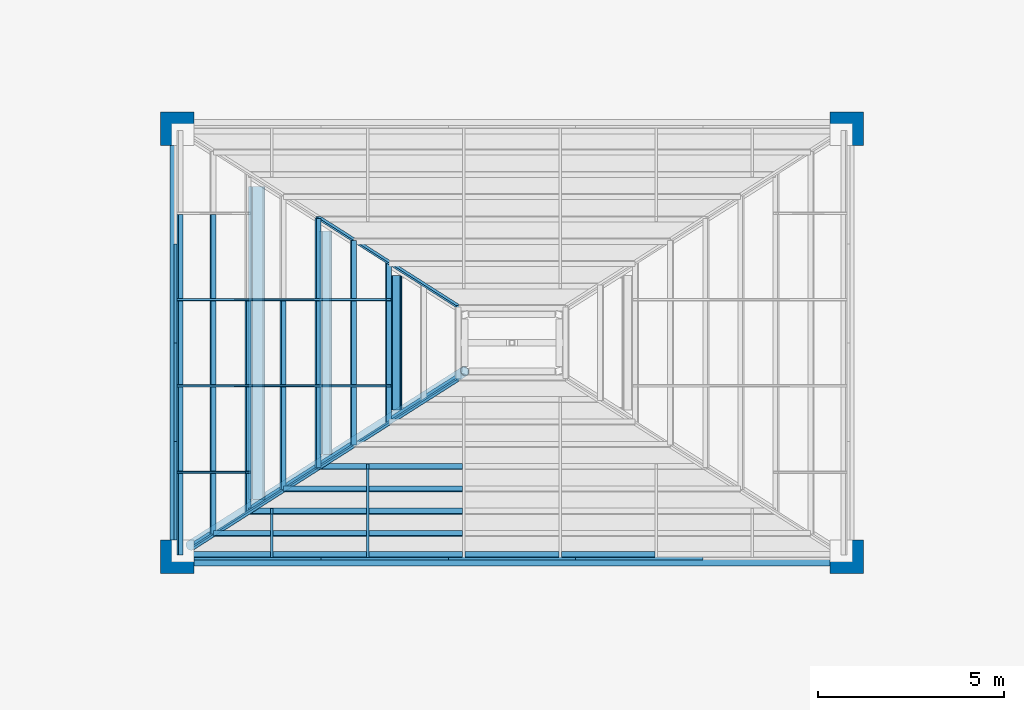
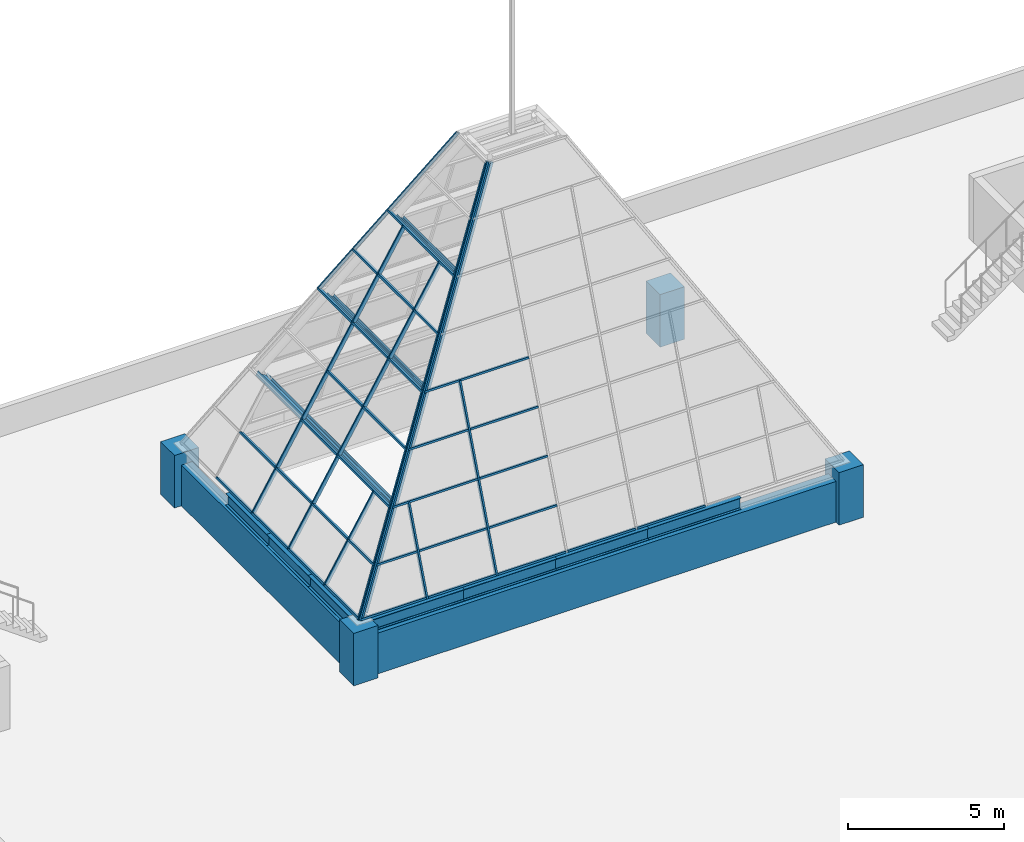
# One storey, part 1 of 8: 45 members, 9 beams, 4 columns, 2 elements without a shape of their own.
"""IFC4 building model written with IfcOpenShell, lengths in metres."""

from ifc_helpers import new_model, si_unit, direction, frame, origin, origin_2d, place, context, subcontext, project, spatial, rectangle, hollow_circle, i_section, extrude, material, layer, layer_set, material_profile, profile_set, type_object, element, aggregate, save


model = new_model("IFC4")

# Units and contexts
model_context = context("Model", 3, precision=1e-05, world=origin(), true_north=direction((0.0, 1.0)))
body_context = subcontext(model_context, "Body", "Model", "MODEL_VIEW")
ifc_project = project(units=[si_unit("LENGTHUNIT", "METRE"), si_unit("AREAUNIT", "SQUARE_METRE"), si_unit("VOLUMEUNIT", "CUBIC_METRE"), si_unit("PLANEANGLEUNIT", "RADIAN"), si_unit("MASSUNIT", "GRAM", prefix="KILO")], contexts=[model_context])

# Site, building, storey
site_placement = place(None, origin())
site = spatial("IfcSite", under=ifc_project, at=site_placement, CompositionType="ELEMENT")
building_placement = place(site_placement, origin())
building = spatial("IfcBuilding", under=site, at=building_placement, Name="Brigalow Station Residences", CompositionType="ELEMENT")
storey_placement = place(building_placement, frame((0.0, 0.0, 244.199951171875)))
storey = spatial("IfcBuildingStorey", under=building, at=storey_placement, Name="Roof", CompositionType="ELEMENT", Elevation=244.199951171875)

# Columns
ifc_material_1 = material(Name="Concrete C50", Category="concrete")
ifc_material_profile_1 = material_profile(ifc_material_1, rectangle(XDim=0.89990234375, YDim=0.89990234375, at=origin_2d()), Name="RC900x900")
ifc_profile_set_1 = profile_set([ifc_material_profile_1], Name="Concrete C50")
column_type = type_object("IfcColumnType", Name="COLUMN 900x900 C50", PredefinedType="COLUMN", material=ifc_profile_set_1)
for number, where, z_axis, x_axis, name in (
    (1, (27.0, 24.0, 0.0), (0.0, 0.0, 1.0), (1.0, 0.0, 0.0), "ATRIUM CORNER COLUMN SW ROOF"),
    (2, (45.0, 24.0, 0.0), (0.0, 0.0, 1.0), (1.0, 0.0, 0.0), "ATRIUM CORNER COLUMN SE ROOF"),
    (3, (45.0, 35.5, 0.0), (0.0, 0.0, 1.0), (1.0, 0.0, 0.0), "ATRIUM CORNER COLUMN NE ROOF"),
    (4, (27.0, 35.5, 0.0), (0.0, 0.0, 1.0), (1.0, 0.0, 0.0), "ATRIUM CORNER COLUMN NW ROOF"),
):
    element("IfcColumn", number, at=place(storey_placement, frame(where, z_axis=z_axis, x_axis=x_axis)), inside=storey, type_object=column_type, Name=name, PredefinedType="COLUMN", context=body_context, shape_type="SweptSolid", body=[
        extrude(rectangle(XDim=0.89990234375, YDim=0.89990234375, at=origin_2d()), origin(), (0.0, 0.0, 1.0), 2.060546875),
    ])

# Members
ifc_material_2 = material(Name="Steel Grade C350L0 to AS/NZS 1163", Category="steel")
ifc_material_profile_2 = material_profile(ifc_material_2, hollow_circle(Radius=0.136474609375, WallThickness=0.00927734375, at=origin_2d()), Name="273.1x9.3CHS")
ifc_profile_set_2 = profile_set([ifc_material_profile_2], Name="Steel Grade C350L0 to AS/NZS 1163")
member_type_1 = type_object("IfcMemberType", Name="CROWN FRAME HIP RIB 273.1x9.3CHS", PredefinedType="RAFTER", material=ifc_profile_set_2)
member_1_placement = place(storey_placement, frame((27.350341796875, 24.298583984375, 2.169677734375), z_axis=(0.490116390262, 0.311610602771, 0.814054516748), x_axis=(-0.670788330844, 0.731216181017, 0.123959315187)))
element("IfcMember", 5, at=member_1_placement, inside=storey, type_object=member_type_1, Name="CROWN FRAME HIP RIB SW", PredefinedType="RAFTER", context=body_context, shape_type="SweptSolid", body=[
    extrude(hollow_circle(Radius=0.136474609375, WallThickness=0.00927734375, at=origin_2d()), origin(), (0.0, 0.0, 1.0), 15.051513671875),
])
ifc_material_3 = material(Name="Steel Grade 300 to AS/NZS 3679.1", Category="steel")
ifc_material_profile_3 = material_profile(ifc_material_3, i_section(OverallWidth=0.1650390625, OverallDepth=0.303955078125, WebThickness=0.006103515625, FlangeThickness=0.01025390625, FilletRadius=0.011474609375, at=origin_2d()), Name="310UB40.4")
ifc_profile_set_3 = profile_set([ifc_material_profile_3], Name="Steel Grade 300 to AS/NZS 3679.1")
member_type_2 = type_object("IfcMemberType", Name="CROWN FRAME HOOP 310UB40.4 SPAN TO 4 M", PredefinedType="PURLIN", material=ifc_profile_set_3)
member_2_placement = place(storey_placement, frame((32.87109375, 31.55810546875, 11.309326171875), z_axis=(0.0, -1.0, 0.0), x_axis=(0.515812812605, 0.0, 0.85670131455)))
element("IfcMember", 6, at=member_2_placement, inside=storey, type_object=member_type_2, Name="CROWN FRAME HOOP W6", PredefinedType="PURLIN", context=body_context, shape_type="SweptSolid", body=[
    extrude(i_section(OverallWidth=0.1650390625, OverallDepth=0.303955078125, WebThickness=0.006103515625, FlangeThickness=0.01025390625, FilletRadius=0.011474609375, at=origin_2d()), origin(), (0.0, 0.0, 1.0), 3.6162109375),
])
ifc_material_4 = material(Name="Steel Grade 300 to AS/NZS 3679.1", Category="steel")
ifc_material_profile_4 = material_profile(ifc_material_4, i_section(OverallWidth=0.1650390625, OverallDepth=0.303955078125, WebThickness=0.006103515625, FlangeThickness=0.01025390625, FilletRadius=0.011474609375, at=origin_2d()), Name="310UB40.4")
ifc_profile_set_4 = profile_set([ifc_material_profile_4], Name="Steel Grade 300 to AS/NZS 3679.1")
member_type_3 = type_object("IfcMemberType", Name="CROWN FRAME HOOP 310UB40.4 SPAN TO 7 M", PredefinedType="PURLIN", material=ifc_profile_set_4)
member_3_placement = place(storey_placement, frame((30.983642578125, 32.758056640625, 8.174560546875), z_axis=(0.0, -1.0, 0.0), x_axis=(0.515812812605, 0.0, 0.85670131455)))
element("IfcMember", 7, at=member_3_placement, inside=storey, type_object=member_type_3, Name="CROWN FRAME HOOP W4", PredefinedType="PURLIN", context=body_context, shape_type="SweptSolid", body=[
    extrude(i_section(OverallWidth=0.1650390625, OverallDepth=0.303955078125, WebThickness=0.006103515625, FlangeThickness=0.01025390625, FilletRadius=0.011474609375, at=origin_2d()), origin(), (0.0, 0.0, 1.0), 6.01611328125),
])
ifc_material_5 = material(Name="Steel Grade 300 to AS/NZS 3679.1", Category="steel")
ifc_material_profile_5 = material_profile(ifc_material_5, i_section(OverallWidth=0.177978515625, OverallDepth=0.406494140625, WebThickness=0.0078125, FlangeThickness=0.0126953125, FilletRadius=0.011474609375, at=origin_2d()), Name="410UB59.7")
ifc_profile_set_5 = profile_set([ifc_material_profile_5], Name="Steel Grade 300 to AS/NZS 3679.1")
member_type_4 = type_object("IfcMemberType", Name="CROWN FRAME HOOP 410UB59.7 SPAN TO 10 M", PredefinedType="PURLIN", material=ifc_profile_set_5)
member_4_placement = place(storey_placement, frame((29.14013671875, 33.9580078125, 5.01318359375), z_axis=(0.0, -1.0, 0.0), x_axis=(0.515812812605, 0.0, 0.85670131455)))
element("IfcMember", 8, at=member_4_placement, inside=storey, type_object=member_type_4, Name="CROWN FRAME HOOP W2", PredefinedType="PURLIN", context=body_context, shape_type="SweptSolid", body=[
    extrude(i_section(OverallWidth=0.177978515625, OverallDepth=0.406494140625, WebThickness=0.0078125, FlangeThickness=0.0126953125, FilletRadius=0.011474609375, at=origin_2d()), origin(), (0.0, 0.0, 1.0), 8.416015625),
])

# Beams
ifc_material_6 = material(Name="Steel Grade 300 to AS/NZS 3679.1", Category="steel")
ifc_material_profile_6 = material_profile(ifc_material_6, i_section(OverallWidth=0.19091796875, OverallDepth=0.46044921875, WebThickness=0.010009765625, FlangeThickness=0.01611328125, FilletRadius=0.011474609375, at=origin_2d()), Name="460UB82.1")
ifc_profile_set_6 = profile_set([ifc_material_profile_6], Name="Steel Grade 300 to AS/NZS 3679.1")
beam_type_1 = type_object("IfcBeamType", Name="CROWN FRAME RING BEAM 460UB82.1", PredefinedType="BEAM", material=ifc_profile_set_6)
beam_1_placement = place(storey_placement, frame((27.449951171875, 24.0, 1.830322265625), z_axis=(1.0, 0.0, 0.0), x_axis=(0.0, 1.0, 0.0)))
element("IfcBeam", 9, at=beam_1_placement, inside=storey, type_object=beam_type_1, Name="CROWN FRAME RING BEAM S1", PredefinedType="BEAM", context=body_context, shape_type="SweptSolid", body=[
    extrude(i_section(OverallWidth=0.19091796875, OverallDepth=0.46044921875, WebThickness=0.010009765625, FlangeThickness=0.01611328125, FilletRadius=0.011474609375, at=origin_2d()), origin(), (0.0, 0.0, 1.0), 3.420166015625),
])
for number, where, z_axis, x_axis, name in (
    (10, (30.8701171875, 24.0, 1.830322265625), (1.0, 0.0, 0.0), (0.0, 1.0, 0.0), "CROWN FRAME RING BEAM S2"),
    (11, (34.2900390625, 24.0, 1.830322265625), (1.0, 0.0, 0.0), (0.0, 1.0, 0.0), "CROWN FRAME RING BEAM S3"),
    (12, (37.7099609375, 24.0, 1.830322265625), (1.0, 0.0, 0.0), (0.0, 1.0, 0.0), "CROWN FRAME RING BEAM S4"),
):
    element("IfcBeam", number, at=place(storey_placement, frame(where, z_axis=z_axis, x_axis=x_axis)), inside=storey, type_object=beam_type_1, Name=name, PredefinedType="BEAM", context=body_context, shape_type="SweptSolid", body=[
        extrude(i_section(OverallWidth=0.19091796875, OverallDepth=0.46044921875, WebThickness=0.010009765625, FlangeThickness=0.01611328125, FilletRadius=0.011474609375, at=origin_2d()), origin(), (0.0, 0.0, 1.0), 3.419921875),
    ])
for number, where, z_axis, x_axis, name in (
    (13, (27.0, 32.39990234375, 1.830322265625), (0.0, -1.0, 0.0), (1.0, 0.0, 0.0), "CROWN FRAME RING BEAM W2"),
    (14, (27.0, 29.75, 1.830322265625), (0.0, -1.0, 0.0), (1.0, 0.0, 0.0), "CROWN FRAME RING BEAM W3"),
):
    element("IfcBeam", number, at=place(storey_placement, frame(where, z_axis=z_axis, x_axis=x_axis)), inside=storey, type_object=beam_type_1, Name=name, PredefinedType="BEAM", context=body_context, shape_type="SweptSolid", body=[
        extrude(i_section(OverallWidth=0.19091796875, OverallDepth=0.46044921875, WebThickness=0.010009765625, FlangeThickness=0.01611328125, FilletRadius=0.011474609375, at=origin_2d()), origin(), (0.0, 0.0, 1.0), 2.64990234375),
    ])
beam_2_placement = place(storey_placement, frame((27.0, 27.10009765625, 1.830322265625), z_axis=(0.0, -1.0, 0.0), x_axis=(1.0, 0.0, 0.0)))
element("IfcBeam", 15, at=beam_2_placement, inside=storey, type_object=beam_type_1, Name="CROWN FRAME RING BEAM W4", PredefinedType="BEAM", context=body_context, shape_type="SweptSolid", body=[
    extrude(i_section(OverallWidth=0.19091796875, OverallDepth=0.46044921875, WebThickness=0.010009765625, FlangeThickness=0.01611328125, FilletRadius=0.011474609375, at=origin_2d()), origin(), (0.0, 0.0, 1.0), 2.650146484375),
])

# Curtain wall, members
ifc_material_7 = material(Name="Aluminium", Category="aluminium")
ifc_layer = layer(ifc_material_7, 0.14990234375)
ifc_layer_set = layer_set([ifc_layer], Name="CROWN CURTAIN WALL")
curtain_wall_type = type_object("IfcCurtainWallType", Name="CROWN CURTAIN WALL", PredefinedType="NOTDEFINED", material=ifc_layer_set)
curtain_wall_1_placement = place(storey_placement, origin())
curtain_wall_1 = element("IfcCurtainWall", 16, at=curtain_wall_1_placement, inside=storey, type_object=curtain_wall_type, Name="Roof/cw/crown-W", PredefinedType="NOTDEFINED")
ifc_material_8 = material(Name="Aluminium", Category="aluminium")
ifc_material_profile_7 = material_profile(ifc_material_8, rectangle(XDim=0.050048828125, YDim=0.14990234375, at=origin_2d()), Name="CROWN MULLION 50x150")
ifc_profile_set_7 = profile_set([ifc_material_profile_7], Name="Aluminium")
member_type_5 = type_object("IfcMemberType", Name="CROWN MULLION 50x150", PredefinedType="MULLION", material=ifc_profile_set_7)
member_5_placement = place(storey_placement, frame((30.789306640625, 33.123779296875, 8.29150390625), z_axis=(0.490120289601, -0.311626734385, 0.814045993871), x_axis=(0.1607680528, 0.950204597627, 0.266954782403)))
member_5 = element("IfcMember", 17, at=member_5_placement, type_object=member_type_5, Name="Roof/cw/crown-W/HL2", PredefinedType="MULLION", context=body_context, shape_type="SweptSolid", body=[
    extrude(rectangle(XDim=0.050048828125, YDim=0.14990234375, at=origin_2d()), origin(), (0.0, 0.0, 1.0), 7.701904296875),
])
member_6_placement = place(storey_placement, frame((27.06494140625, 24.008544921875, 2.10595703125), z_axis=(0.490142364548, 0.311596240668, 0.814044375496), x_axis=(-0.160707203509, 0.950214597997, -0.266955824986)))
member_6 = element("IfcMember", 18, at=member_6_placement, type_object=member_type_5, Name="Roof/cw/crown-W/HR1", PredefinedType="MULLION", context=body_context, shape_type="SweptSolid", body=[
    extrude(rectangle(XDim=0.050048828125, YDim=0.14990234375, at=origin_2d()), origin(), (0.0, 0.0, 1.0), 7.5986328125),
])
member_7_placement = place(storey_placement, frame((30.789306640625, 26.376220703125, 8.29150390625), z_axis=(0.490120289601, 0.311626734385, 0.814045993871), x_axis=(-0.1607680528, 0.950204597627, -0.266954782403)))
member_7 = element("IfcMember", 19, at=member_7_placement, type_object=member_type_5, Name="Roof/cw/crown-W/HR2", PredefinedType="MULLION", context=body_context, shape_type="SweptSolid", body=[
    extrude(rectangle(XDim=0.050048828125, YDim=0.14990234375, at=origin_2d()), origin(), (0.0, 0.0, 1.0), 7.701904296875),
])
member_8_placement = place(storey_placement, frame((27.060791015625, 30.909912109375, 2.09912109375), z_axis=(0.515814192551, 0.0, 0.856700483695), x_axis=(0.0, 1.0, 0.0)))
member_8 = element("IfcMember", 20, at=member_8_placement, type_object=member_type_5, Name="Roof/cw/crown-W/M01", PredefinedType="MULLION", context=body_context, shape_type="SweptSolid", body=[
    extrude(rectangle(XDim=0.050048828125, YDim=0.14990234375, at=origin_2d()), origin(), (0.0, 0.0, 1.0), 10.8876953125),
])
member_9_placement = place(storey_placement, frame((27.060791015625, 28.590087890625, 2.09912109375), z_axis=(0.515814192551, 0.0, 0.856700483695), x_axis=(0.0, 1.0, 0.0)))
member_9 = element("IfcMember", 21, at=member_9_placement, type_object=member_type_5, Name="Roof/cw/crown-W/M02", PredefinedType="MULLION", context=body_context, shape_type="SweptSolid", body=[
    extrude(rectangle(XDim=0.050048828125, YDim=0.14990234375, at=origin_2d()), origin(), (0.0, 0.0, 1.0), 10.8876953125),
])
member_10_placement = place(storey_placement, frame((27.060791015625, 26.27001953125, 2.09912109375), z_axis=(0.515833026971, 0.0, 0.856689143322), x_axis=(0.0, 1.0, 0.0)))
member_10 = element("IfcMember", 22, at=member_10_placement, type_object=member_type_5, Name="Roof/cw/crown-W/M03", PredefinedType="MULLION", context=body_context, shape_type="SweptSolid", body=[
    extrude(rectangle(XDim=0.050048828125, YDim=0.14990234375, at=origin_2d()), origin(), (0.0, 0.0, 1.0), 3.569091796875),
])

curtain_wall_2_placement = place(storey_placement, origin())
curtain_wall_2 = element("IfcCurtainWall", 23, at=curtain_wall_2_placement, inside=storey, type_object=curtain_wall_type, Name="Roof/cw/crown-S", PredefinedType="NOTDEFINED")
ifc_material_9 = material(Name="Aluminium", Category="aluminium")
ifc_material_profile_8 = material_profile(ifc_material_9, rectangle(XDim=0.06494140625, YDim=0.14990234375, at=origin_2d()), Name="CROWN MULLION 65x150")
ifc_profile_set_8 = profile_set([ifc_material_profile_8], Name="Aluminium")
member_type_6 = type_object("IfcMemberType", Name="CROWN MULLION 65x150", PredefinedType="MULLION", material=ifc_profile_set_8)
member_11_placement = place(storey_placement, frame((27.028564453125, 24.04638671875, 2.10205078125), z_axis=(0.490131750728, 0.311599236636, 0.814049619284), x_axis=(-0.871648361899, 0.175225678842, 0.45773911202)))
member_11 = element("IfcMember", 24, at=member_11_placement, type_object=member_type_6, Name="Roof/cw/crown-S/HL", PredefinedType="MULLION", context=body_context, shape_type="SweptSolid", body=[
    extrude(rectangle(XDim=0.06494140625, YDim=0.14990234375, at=origin_2d()), origin(), (0.0, 0.0, 1.0), 15.31982421875),
])
member_12_placement = place(storey_placement, frame((29.53564453125, 24.04052734375, 2.087158203125), z_axis=(0.0, 0.357481124807, 0.933920363525), x_axis=(-1.0, 0.0, 0.0)))
member_12 = element("IfcMember", 25, at=member_12_placement, type_object=member_type_6, Name="Roof/cw/crown-S/M00", PredefinedType="MULLION", context=body_context, shape_type="SweptSolid", body=[
    extrude(rectangle(XDim=0.06494140625, YDim=0.14990234375, at=origin_2d()), origin(), (0.0, 0.0, 1.0), 3.29931640625),
])
member_13_placement = place(storey_placement, frame((32.121337890625, 24.04052734375, 2.087158203125), z_axis=(0.0, 0.357474392357, 0.933922940509), x_axis=(-1.0, 0.0, 0.0)))
member_13 = element("IfcMember", 26, at=member_13_placement, type_object=member_type_6, Name="Roof/cw/crown-S/M01", PredefinedType="MULLION", context=body_context, shape_type="SweptSolid", body=[
    extrude(rectangle(XDim=0.06494140625, YDim=0.14990234375, at=origin_2d()), origin(), (0.0, 0.0, 1.0), 6.656005859375),
])
ifc_material_10 = material(Name="Aluminium", Category="aluminium")
ifc_material_profile_9 = material_profile(ifc_material_10, rectangle(XDim=0.06494140625, YDim=0.14990234375, at=origin_2d()), Name="CROWN TRANSOM 65x150")
ifc_profile_set_9 = profile_set([ifc_material_profile_9], Name="Aluminium")
member_type_7 = type_object("IfcMemberType", Name="CROWN TRANSOM 65x150", PredefinedType="USERDEFINED", material=ifc_profile_set_9)
member_14_placement = place(storey_placement, frame((27.0751953125, 24.05224609375, 2.11767578125), z_axis=(1.0, 0.0, 0.0), x_axis=(0.0, 0.357491171676, 0.933916517775)))
member_14 = element("IfcMember", 27, at=member_14_placement, type_object=member_type_7, Name="Roof/cw/crown-S/T00-00", ObjectType="TRANSOM", PredefinedType="USERDEFINED", context=body_context, shape_type="SweptSolid", body=[
    extrude(rectangle(XDim=0.06494140625, YDim=0.14990234375, at=origin_2d()), origin(), (0.0, 0.0, 1.0), 2.427978515625),
])
member_15_placement = place(storey_placement, frame((29.568115234375, 24.05224609375, 2.11767578125), z_axis=(1.0, 0.0, 0.0), x_axis=(0.0, 0.357491171676, 0.933916517775)))
member_15 = element("IfcMember", 28, at=member_15_placement, type_object=member_type_7, Name="Roof/cw/crown-S/T01-00", ObjectType="TRANSOM", PredefinedType="USERDEFINED", context=body_context, shape_type="SweptSolid", body=[
    extrude(rectangle(XDim=0.06494140625, YDim=0.14990234375, at=origin_2d()), origin(), (0.0, 0.0, 1.0), 2.520751953125),
])
member_16_placement = place(storey_placement, frame((32.15380859375, 24.05224609375, 2.11767578125), z_axis=(1.0, 0.0, 0.0), x_axis=(0.0, 0.357491171676, 0.933916517775)))
member_16 = element("IfcMember", 29, at=member_16_placement, type_object=member_type_7, Name="Roof/cw/crown-S/T02-00", ObjectType="TRANSOM", PredefinedType="USERDEFINED", context=body_context, shape_type="SweptSolid", body=[
    extrude(rectangle(XDim=0.06494140625, YDim=0.14990234375, at=origin_2d()), origin(), (0.0, 0.0, 1.0), 2.520751953125),
])
member_17_placement = place(storey_placement, frame((34.739501953125, 24.05224609375, 2.11767578125), z_axis=(1.0, 0.0, 0.0), x_axis=(0.0, 0.357491171676, 0.933916517775)))
member_17 = element("IfcMember", 30, at=member_17_placement, type_object=member_type_7, Name="Roof/cw/crown-S/T03-00", ObjectType="TRANSOM", PredefinedType="USERDEFINED", context=body_context, shape_type="SweptSolid", body=[
    extrude(rectangle(XDim=0.06494140625, YDim=0.14990234375, at=origin_2d()), origin(), (0.0, 0.0, 1.0), 2.52099609375),
])
member_18_placement = place(storey_placement, frame((37.325439453125, 24.05224609375, 2.11767578125), z_axis=(1.0, 0.0, 0.0), x_axis=(0.0, 0.357491171676, 0.933916517775)))
member_18 = element("IfcMember", 31, at=member_18_placement, type_object=member_type_7, Name="Roof/cw/crown-S/T04-00", ObjectType="TRANSOM", PredefinedType="USERDEFINED", context=body_context, shape_type="SweptSolid", body=[
    extrude(rectangle(XDim=0.06494140625, YDim=0.14990234375, at=origin_2d()), origin(), (0.0, 0.0, 1.0), 2.520751953125),
])
member_19_placement = place(storey_placement, frame((27.96826171875, 24.6201171875, 3.60107421875), z_axis=(1.0, 0.0, 0.0), x_axis=(0.0, 0.357491171676, 0.933916517775)))
member_19 = element("IfcMember", 32, at=member_19_placement, type_object=member_type_7, Name="Roof/cw/crown-S/T00-01", ObjectType="TRANSOM", PredefinedType="USERDEFINED", context=body_context, shape_type="SweptSolid", body=[
    extrude(rectangle(XDim=0.06494140625, YDim=0.14990234375, at=origin_2d()), origin(), (0.0, 0.0, 1.0), 1.534912109375),
])
member_20_placement = place(storey_placement, frame((29.568115234375, 24.6201171875, 3.60107421875), z_axis=(1.0, 0.0, 0.0), x_axis=(0.0, 0.357491171676, 0.933916517775)))
member_20 = element("IfcMember", 33, at=member_20_placement, type_object=member_type_7, Name="Roof/cw/crown-S/T01-01", ObjectType="TRANSOM", PredefinedType="USERDEFINED", context=body_context, shape_type="SweptSolid", body=[
    extrude(rectangle(XDim=0.06494140625, YDim=0.14990234375, at=origin_2d()), origin(), (0.0, 0.0, 1.0), 2.520751953125),
])
member_21_placement = place(storey_placement, frame((32.15380859375, 24.6201171875, 3.60107421875), z_axis=(1.0, 0.0, 0.0), x_axis=(0.0, 0.357491171676, 0.933916517775)))
member_21 = element("IfcMember", 34, at=member_21_placement, type_object=member_type_7, Name="Roof/cw/crown-S/T02-01", ObjectType="TRANSOM", PredefinedType="USERDEFINED", context=body_context, shape_type="SweptSolid", body=[
    extrude(rectangle(XDim=0.06494140625, YDim=0.14990234375, at=origin_2d()), origin(), (0.0, 0.0, 1.0), 2.520751953125),
])
member_22_placement = place(storey_placement, frame((28.912109375, 25.219970703125, 5.16845703125), z_axis=(1.0, 0.0, 0.0), x_axis=(0.0, 0.357491171676, 0.933916517775)))
member_22 = element("IfcMember", 35, at=member_22_placement, type_object=member_type_7, Name="Roof/cw/crown-S/T00-02", ObjectType="TRANSOM", PredefinedType="USERDEFINED", context=body_context, shape_type="SweptSolid", body=[
    extrude(rectangle(XDim=0.06494140625, YDim=0.14990234375, at=origin_2d()), origin(), (0.0, 0.0, 1.0), 3.1767578125),
])
member_23_placement = place(storey_placement, frame((32.15380859375, 25.219970703125, 5.16845703125), z_axis=(1.0, 0.0, 0.0), x_axis=(0.0, 0.357491171676, 0.933916517775)))
member_23 = element("IfcMember", 36, at=member_23_placement, type_object=member_type_7, Name="Roof/cw/crown-S/T01-02", ObjectType="TRANSOM", PredefinedType="USERDEFINED", context=body_context, shape_type="SweptSolid", body=[
    extrude(rectangle(XDim=0.06494140625, YDim=0.14990234375, at=origin_2d()), origin(), (0.0, 0.0, 1.0), 2.520751953125),
])
member_24_placement = place(storey_placement, frame((29.855712890625, 25.820068359375, 6.73583984375), z_axis=(1.0, 0.0, 0.0), x_axis=(0.0, 0.357491171676, 0.933916517775)))
member_24 = element("IfcMember", 37, at=member_24_placement, type_object=member_type_7, Name="Roof/cw/crown-S/T00-03", ObjectType="TRANSOM", PredefinedType="USERDEFINED", context=body_context, shape_type="SweptSolid", body=[
    extrude(rectangle(XDim=0.06494140625, YDim=0.14990234375, at=origin_2d()), origin(), (0.0, 0.0, 1.0), 2.233154296875),
])
member_25_placement = place(storey_placement, frame((32.15380859375, 25.820068359375, 6.73583984375), z_axis=(1.0, 0.0, 0.0), x_axis=(0.0, 0.357491171676, 0.933916517775)))
member_25 = element("IfcMember", 38, at=member_25_placement, type_object=member_type_7, Name="Roof/cw/crown-S/T01-03", ObjectType="TRANSOM", PredefinedType="USERDEFINED", context=body_context, shape_type="SweptSolid", body=[
    extrude(rectangle(XDim=0.06494140625, YDim=0.14990234375, at=origin_2d()), origin(), (0.0, 0.0, 1.0), 2.520751953125),
])
member_26_placement = place(storey_placement, frame((30.799560546875, 26.419921875, 8.303466796875), z_axis=(1.0, 0.0, 0.0), x_axis=(0.0, 0.357491171676, 0.933916517775)))
member_26 = element("IfcMember", 39, at=member_26_placement, type_object=member_type_7, Name="Roof/cw/crown-S/T00-04", ObjectType="TRANSOM", PredefinedType="USERDEFINED", context=body_context, shape_type="SweptSolid", body=[
    extrude(rectangle(XDim=0.06494140625, YDim=0.14990234375, at=origin_2d()), origin(), (0.0, 0.0, 1.0), 3.875),
])
aggregate(curtain_wall_2, [member_11, member_12, member_13, member_14, member_15, member_16, member_17, member_18, member_19, member_20, member_21, member_22, member_23, member_24, member_25, member_26])

# Member
member_27_placement = place(storey_placement, frame((27.07763671875, 33.205078125, 2.126953125), z_axis=(0.0, -1.0, 0.0), x_axis=(0.515812812605, 0.0, 0.85670131455)))
member_27 = element("IfcMember", 40, at=member_27_placement, type_object=member_type_7, Name="Roof/cw/crown-W/T01-00", ObjectType="TRANSOM", PredefinedType="USERDEFINED", context=body_context, shape_type="SweptSolid", body=[
    extrude(rectangle(XDim=0.06494140625, YDim=0.14990234375, at=origin_2d()), origin(), (0.0, 0.0, 1.0), 2.27001953125),
])

member_28_placement = place(storey_placement, frame((27.07763671875, 30.885009765625, 2.126953125), z_axis=(0.0, -1.0, 0.0), x_axis=(0.515812812605, 0.0, 0.85670131455)))
member_28 = element("IfcMember", 41, at=member_28_placement, type_object=member_type_7, Name="Roof/cw/crown-W/T02-00", ObjectType="TRANSOM", PredefinedType="USERDEFINED", context=body_context, shape_type="SweptSolid", body=[
    extrude(rectangle(XDim=0.06494140625, YDim=0.14990234375, at=origin_2d()), origin(), (0.0, 0.0, 1.0), 2.27001953125),
])

member_29_placement = place(storey_placement, frame((27.07763671875, 28.56494140625, 2.126953125), z_axis=(0.0, -1.0, 0.0), x_axis=(0.515812812605, 0.0, 0.85670131455)))
member_29 = element("IfcMember", 42, at=member_29_placement, type_object=member_type_7, Name="Roof/cw/crown-W/T03-00", ObjectType="TRANSOM", PredefinedType="USERDEFINED", context=body_context, shape_type="SweptSolid", body=[
    extrude(rectangle(XDim=0.06494140625, YDim=0.14990234375, at=origin_2d()), origin(), (0.0, 0.0, 1.0), 2.27001953125),
])

member_30_placement = place(storey_placement, frame((27.07763671875, 26.2451171875, 2.126953125), z_axis=(0.0, -1.0, 0.0), x_axis=(0.515812812605, 0.0, 0.85670131455)))
member_30 = element("IfcMember", 43, at=member_30_placement, type_object=member_type_7, Name="Roof/cw/crown-W/T04-00", ObjectType="TRANSOM", PredefinedType="USERDEFINED", context=body_context, shape_type="SweptSolid", body=[
    extrude(rectangle(XDim=0.06494140625, YDim=0.14990234375, at=origin_2d()), origin(), (0.0, 0.0, 1.0), 2.2021484375),
])

member_31_placement = place(storey_placement, frame((27.9580078125, 33.205078125, 3.58935546875), z_axis=(0.0, -1.0, 0.0), x_axis=(0.515812812605, 0.0, 0.85670131455)))
member_31 = element("IfcMember", 44, at=member_31_placement, type_object=member_type_7, Name="Roof/cw/crown-W/T01-01", ObjectType="TRANSOM", PredefinedType="USERDEFINED", context=body_context, shape_type="SweptSolid", body=[
    extrude(rectangle(XDim=0.06494140625, YDim=0.14990234375, at=origin_2d()), origin(), (0.0, 0.0, 1.0), 2.27001953125),
])

member_32_placement = place(storey_placement, frame((27.9580078125, 30.885009765625, 3.58935546875), z_axis=(0.0, -1.0, 0.0), x_axis=(0.515812812605, 0.0, 0.85670131455)))
member_32 = element("IfcMember", 45, at=member_32_placement, type_object=member_type_7, Name="Roof/cw/crown-W/T02-01", ObjectType="TRANSOM", PredefinedType="USERDEFINED", context=body_context, shape_type="SweptSolid", body=[
    extrude(rectangle(XDim=0.06494140625, YDim=0.14990234375, at=origin_2d()), origin(), (0.0, 0.0, 1.0), 2.27001953125),
])

member_33_placement = place(storey_placement, frame((27.9580078125, 28.56494140625, 3.58935546875), z_axis=(0.0, -1.0, 0.0), x_axis=(0.515812812605, 0.0, 0.85670131455)))
member_33 = element("IfcMember", 46, at=member_33_placement, type_object=member_type_7, Name="Roof/cw/crown-W/T03-01", ObjectType="TRANSOM", PredefinedType="USERDEFINED", context=body_context, shape_type="SweptSolid", body=[
    extrude(rectangle(XDim=0.06494140625, YDim=0.14990234375, at=origin_2d()), origin(), (0.0, 0.0, 1.0), 2.27001953125),
])

member_34_placement = place(storey_placement, frame((27.9580078125, 26.2451171875, 3.58935546875), z_axis=(0.0, -1.0, 0.0), x_axis=(0.515812812605, 0.0, 0.85670131455)))
member_34 = element("IfcMember", 47, at=member_34_placement, type_object=member_type_7, Name="Roof/cw/crown-W/T04-01", ObjectType="TRANSOM", PredefinedType="USERDEFINED", context=body_context, shape_type="SweptSolid", body=[
    extrude(rectangle(XDim=0.06494140625, YDim=0.14990234375, at=origin_2d()), origin(), (0.0, 0.0, 1.0), 1.642578125),
])

member_35_placement = place(storey_placement, frame((28.90185546875, 30.885009765625, 5.15673828125), z_axis=(0.0, -1.0, 0.0), x_axis=(0.515812812605, 0.0, 0.85670131455)))
member_35 = element("IfcMember", 48, at=member_35_placement, type_object=member_type_7, Name="Roof/cw/crown-W/T01-02", ObjectType="TRANSOM", PredefinedType="USERDEFINED", context=body_context, shape_type="SweptSolid", body=[
    extrude(rectangle(XDim=0.06494140625, YDim=0.14990234375, at=origin_2d()), origin(), (0.0, 0.0, 1.0), 2.27001953125),
])

member_36_placement = place(storey_placement, frame((28.90185546875, 28.56494140625, 5.15673828125), z_axis=(0.0, -1.0, 0.0), x_axis=(0.515812812605, 0.0, 0.85670131455)))
member_36 = element("IfcMember", 49, at=member_36_placement, type_object=member_type_7, Name="Roof/cw/crown-W/T02-02", ObjectType="TRANSOM", PredefinedType="USERDEFINED", context=body_context, shape_type="SweptSolid", body=[
    extrude(rectangle(XDim=0.06494140625, YDim=0.14990234375, at=origin_2d()), origin(), (0.0, 0.0, 1.0), 3.3623046875),
])

member_37_placement = place(storey_placement, frame((29.845458984375, 30.885009765625, 6.72412109375), z_axis=(0.0, -1.0, 0.0), x_axis=(0.515812812605, 0.0, 0.85670131455)))
member_37 = element("IfcMember", 50, at=member_37_placement, type_object=member_type_7, Name="Roof/cw/crown-W/T01-03", ObjectType="TRANSOM", PredefinedType="USERDEFINED", context=body_context, shape_type="SweptSolid", body=[
    extrude(rectangle(XDim=0.06494140625, YDim=0.14990234375, at=origin_2d()), origin(), (0.0, 0.0, 1.0), 2.27001953125),
])

member_38_placement = place(storey_placement, frame((29.845458984375, 28.56494140625, 6.72412109375), z_axis=(0.0, -1.0, 0.0), x_axis=(0.515812812605, 0.0, 0.85670131455)))
member_38 = element("IfcMember", 51, at=member_38_placement, type_object=member_type_7, Name="Roof/cw/crown-W/T02-03", ObjectType="TRANSOM", PredefinedType="USERDEFINED", context=body_context, shape_type="SweptSolid", body=[
    extrude(rectangle(XDim=0.06494140625, YDim=0.14990234375, at=origin_2d()), origin(), (0.0, 0.0, 1.0), 2.762451171875),
])

member_39_placement = place(storey_placement, frame((30.789306640625, 33.097412109375, 8.29150390625), z_axis=(0.0, -1.0, 0.0), x_axis=(0.515812812605, 0.0, 0.85670131455)))
member_39 = element("IfcMember", 52, at=member_39_placement, type_object=member_type_7, Name="Roof/cw/crown-W/T00-04", ObjectType="TRANSOM", PredefinedType="USERDEFINED", context=body_context, shape_type="SweptSolid", body=[
    extrude(rectangle(XDim=0.06494140625, YDim=0.14990234375, at=origin_2d()), origin(), (0.0, 0.0, 1.0), 2.162353515625),
])

member_40_placement = place(storey_placement, frame((30.789306640625, 30.885009765625, 8.29150390625), z_axis=(0.0, -1.0, 0.0), x_axis=(0.515812812605, 0.0, 0.85670131455)))
member_40 = element("IfcMember", 53, at=member_40_placement, type_object=member_type_7, Name="Roof/cw/crown-W/T01-04", ObjectType="TRANSOM", PredefinedType="USERDEFINED", context=body_context, shape_type="SweptSolid", body=[
    extrude(rectangle(XDim=0.06494140625, YDim=0.14990234375, at=origin_2d()), origin(), (0.0, 0.0, 1.0), 2.27001953125),
])

member_41_placement = place(storey_placement, frame((30.789306640625, 28.56494140625, 8.29150390625), z_axis=(0.0, -1.0, 0.0), x_axis=(0.515812812605, 0.0, 0.85670131455)))
member_41 = element("IfcMember", 54, at=member_41_placement, type_object=member_type_7, Name="Roof/cw/crown-W/T02-04", ObjectType="TRANSOM", PredefinedType="USERDEFINED", context=body_context, shape_type="SweptSolid", body=[
    extrude(rectangle(XDim=0.06494140625, YDim=0.14990234375, at=origin_2d()), origin(), (0.0, 0.0, 1.0), 2.162353515625),
])

member_42_placement = place(storey_placement, frame((31.73291015625, 32.497314453125, 9.859130859375), z_axis=(0.0, -1.0, 0.0), x_axis=(0.515812812605, 0.0, 0.85670131455)))
member_42 = element("IfcMember", 55, at=member_42_placement, type_object=member_type_7, Name="Roof/cw/crown-W/T00-05", ObjectType="TRANSOM", PredefinedType="USERDEFINED", context=body_context, shape_type="SweptSolid", body=[
    extrude(rectangle(XDim=0.06494140625, YDim=0.14990234375, at=origin_2d()), origin(), (0.0, 0.0, 1.0), 1.562255859375),
])

member_43_placement = place(storey_placement, frame((31.73291015625, 30.885009765625, 9.859130859375), z_axis=(0.0, -1.0, 0.0), x_axis=(0.515812812605, 0.0, 0.85670131455)))
member_43 = element("IfcMember", 56, at=member_43_placement, type_object=member_type_7, Name="Roof/cw/crown-W/T01-05", ObjectType="TRANSOM", PredefinedType="USERDEFINED", context=body_context, shape_type="SweptSolid", body=[
    extrude(rectangle(XDim=0.06494140625, YDim=0.14990234375, at=origin_2d()), origin(), (0.0, 0.0, 1.0), 2.27001953125),
])

member_44_placement = place(storey_placement, frame((31.73291015625, 28.56494140625, 9.859130859375), z_axis=(0.0, -1.0, 0.0), x_axis=(0.515812812605, 0.0, 0.85670131455)))
member_44 = element("IfcMember", 57, at=member_44_placement, type_object=member_type_7, Name="Roof/cw/crown-W/T02-05", ObjectType="TRANSOM", PredefinedType="USERDEFINED", context=body_context, shape_type="SweptSolid", body=[
    extrude(rectangle(XDim=0.06494140625, YDim=0.14990234375, at=origin_2d()), origin(), (0.0, 0.0, 1.0), 1.562255859375),
])

member_45_placement = place(storey_placement, frame((32.6767578125, 31.8974609375, 11.426513671875), z_axis=(0.0, -1.0, 0.0), x_axis=(0.515812812605, 0.0, 0.85670131455)))
member_45 = element("IfcMember", 58, at=member_45_placement, type_object=member_type_7, Name="Roof/cw/crown-W/T00-06", ObjectType="TRANSOM", PredefinedType="USERDEFINED", context=body_context, shape_type="SweptSolid", body=[
    extrude(rectangle(XDim=0.06494140625, YDim=0.14990234375, at=origin_2d()), origin(), (0.0, 0.0, 1.0), 4.294921875),
])

aggregate(curtain_wall_1, [member_5, member_6, member_7, member_8, member_9, member_10, member_27, member_28, member_29, member_30, member_31, member_32, member_33, member_34, member_35, member_36, member_37, member_38, member_39, member_40, member_41, member_42, member_43, member_44, member_45])

# Beams
ifc_material_11 = material(Name="Concrete C65", Category="concrete")
ifc_material_profile_10 = material_profile(ifc_material_11, rectangle(XDim=0.39990234375, YDim=1.60009765625, at=origin_2d()), Name="RC400x1600")
ifc_profile_set_10 = profile_set([ifc_material_profile_10], Name="Concrete C65")
beam_type_2 = type_object("IfcBeamType", Name="ROOF ATRIUM UPSTAND GIRDER 400x1600 C65 SPAN TO 11 M", PredefinedType="BEAM", material=ifc_profile_set_10)
beam_3_placement = place(storey_placement, frame((27.0, 35.050048828125, 0.800048828125), z_axis=(0.0, -1.0, 0.0), x_axis=(1.0, 0.0, 0.0)))
element("IfcBeam", 59, at=beam_3_placement, inside=storey, type_object=beam_type_2, Name="ROOF ATRIUM UPSTAND GIRDER W", PredefinedType="BEAM", context=body_context, shape_type="SweptSolid", body=[
    extrude(rectangle(XDim=0.39990234375, YDim=1.60009765625, at=origin_2d()), origin(), (0.0, 0.0, 1.0), 10.60009765625),
])
ifc_material_12 = material(Name="Concrete C65", Category="concrete")
ifc_material_profile_11 = material_profile(ifc_material_12, rectangle(XDim=0.5, YDim=1.60009765625, at=origin_2d()), Name="RC500x1600")
ifc_profile_set_11 = profile_set([ifc_material_profile_11], Name="Concrete C65")
beam_type_3 = type_object("IfcBeamType", Name="ROOF ATRIUM UPSTAND GIRDER 500x1600 C65 SPAN TO 18 M", PredefinedType="BEAM", material=ifc_profile_set_11)
beam_4_placement = place(storey_placement, frame((27.449951171875, 24.0, 0.800048828125), z_axis=(1.0, 0.0, 0.0), x_axis=(0.0, 1.0, 0.0)))
element("IfcBeam", 60, at=beam_4_placement, inside=storey, type_object=beam_type_3, Name="ROOF ATRIUM UPSTAND GIRDER S", PredefinedType="BEAM", context=body_context, shape_type="SweptSolid", body=[
    extrude(rectangle(XDim=0.5, YDim=1.60009765625, at=origin_2d()), origin(), (0.0, 0.0, 1.0), 17.10009765625),
])

save(model, "model.ifc")
